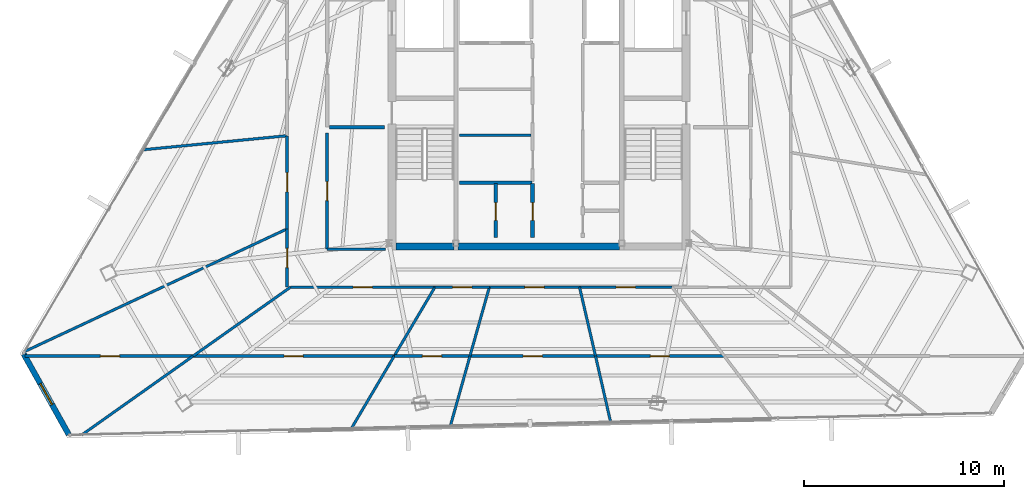
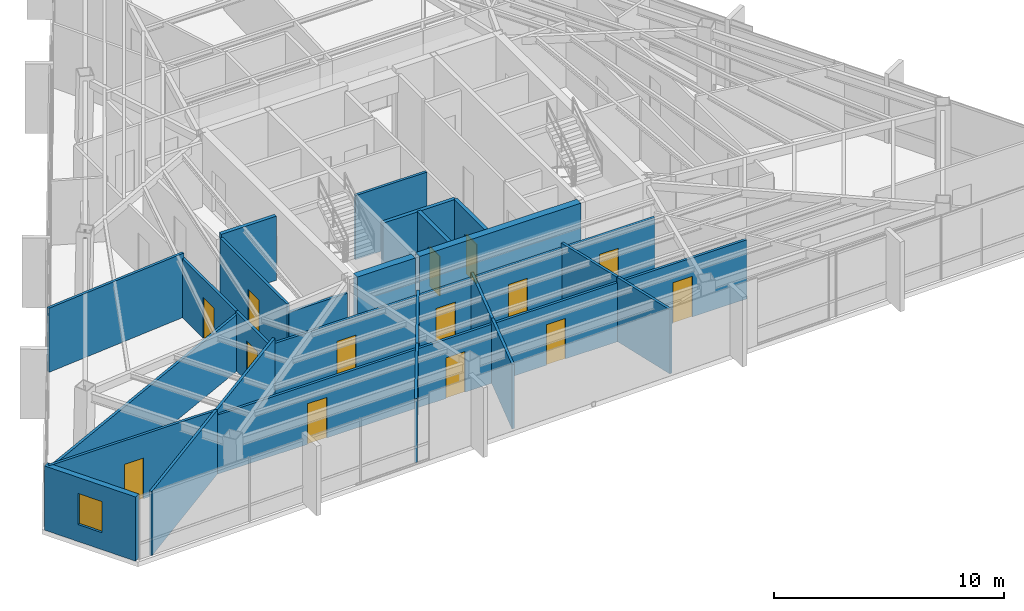
# One storey, part 39 of 44: 31 walls, 14 doors, 1 window, 15 openings.
"""IFC4 building model written with IfcOpenShell, lengths in metres."""

from ifc_helpers import new_model, si_unit, direction, frame, frame_2d, origin, place, context, subcontext, project, spatial, rectangle, extrude, material, layer, layer_set, type_object, element, fill, save


model = new_model("IFC4")

# Units and contexts
model_context = context("Model", 3, precision=1e-05, world=origin(), true_north=direction((0.0, 1.0)))
body_context = subcontext(model_context, "Body", "Model", "MODEL_VIEW")
ifc_project = project(units=[si_unit("LENGTHUNIT", "METRE"), si_unit("AREAUNIT", "SQUARE_METRE"), si_unit("VOLUMEUNIT", "CUBIC_METRE"), si_unit("PLANEANGLEUNIT", "RADIAN"), si_unit("MASSUNIT", "GRAM", prefix="KILO")], contexts=[model_context])

# Site, building, storey
site_placement = place(None, origin())
site = spatial("IfcSite", under=ifc_project, at=site_placement, CompositionType="ELEMENT")
building_placement = place(site_placement, origin())
building = spatial("IfcBuilding", under=site, at=building_placement, Name="Caelisora Broadcast Tower", CompositionType="ELEMENT")
storey_placement = place(building_placement, frame((0.0, 0.0, 259.050048828125)))
storey = spatial("IfcBuildingStorey", under=building, at=storey_placement, Name="L68", CompositionType="ELEMENT", Elevation=259.050048828125)

# Walls
ifc_material_1 = material(Name="Concrete 40 MPa (AS 3600 N40)", Category="concrete")
ifc_layer_1 = layer(ifc_material_1, 0.35009765625, Name="Concrete 40 MPa (AS 3600 N40)")
ifc_layer_set_1 = layer_set([ifc_layer_1], Name="Concrete 40 MPa (AS 3600 N40)")
wall_type_1 = type_object("IfcWallType", Name="CW6", PredefinedType="SHEAR", material=ifc_layer_set_1)
wall_1_placement = place(storey_placement, frame((30.840087890625, 17.22509765625, 0.0), z_axis=(0.0, 0.0, 1.0), x_axis=(1.0, 0.0, 0.0)))
element("IfcWall", 1, at=wall_1_placement, inside=storey, type_object=wall_type_1, Name="L68 core shear wall CW6", PredefinedType="SHEAR", context=body_context, shape_type="SweptSolid", body=[
    extrude(rectangle(XDim=2.89990234375, YDim=0.35009765625, at=frame_2d((1.449951171875, 0.0))), origin(), (0.0, 0.0, 1.0), 3.64990234375),
])
wall_2_placement = place(storey_placement, frame((33.9599609375, 17.22509765625, 0.0), z_axis=(0.0, 0.0, 1.0), x_axis=(1.0, 0.0, 0.0)))
element("IfcWall", 2, at=wall_2_placement, inside=storey, type_object=wall_type_1, Name="L68 core shear wall CW6", PredefinedType="SHEAR", context=body_context, shape_type="SweptSolid", body=[
    extrude(rectangle(XDim=8.080078125, YDim=0.35009765625, at=frame_2d((4.0400390625, 0.0))), origin(), (0.0, 0.0, 1.0), 3.64990234375),
])

# Wall, opening, window
ifc_material_2 = material(Name="Insulated Terracotta Spandrel Wall System", Category="masonry")
ifc_layer_2 = layer(ifc_material_2, 0.280029296875, Name="Insulated Terracotta Spandrel Wall System")
ifc_layer_set_2 = layer_set([ifc_layer_2], Name="Insulated Terracotta Spandrel Wall System")
wall_type_2 = type_object("IfcWallType", Name="EW1", PredefinedType="STANDARD", material=ifc_layer_set_2)
wall_3_placement = place(storey_placement, frame((14.4794921875, 7.826171875, 0.0), z_axis=(0.0, 0.0, 1.0), x_axis=(-0.487974436931, 0.872857920226, 0.0)))
wall_3 = element("IfcWall", 3, at=wall_3_placement, inside=storey, type_object=wall_type_2, Name="L68 exterior envelope wall EW1", PredefinedType="STANDARD", context=body_context, shape_type="SweptSolid", body=[
    extrude(rectangle(XDim=4.61083984375, YDim=0.280029296875, at=frame_2d((2.305419921875, 0.0))), origin(), (0.0, 0.0, 1.0), 3.39990234375),
])
opening_1_placement = place(wall_3_placement, frame((1.7099609375, 0.0, 0.89990234375)))
opening_1 = element("IfcOpeningElement", 4, at=opening_1_placement, cuts=wall_3, Name="Opening W03", PredefinedType="OPENING", context=body_context, shape_type="SweptSolid", body=[
    extrude(rectangle(XDim=1.199951171875, YDim=1.64990234375, at=frame_2d((0.60009765625, 0.824951171875))), frame((0.0, 0.152099609375, 0.0), z_axis=(0.0, -1.0, 0.0), x_axis=(1.0, 0.0, 0.0)), (0.0, 0.0, 1.0), 0.303955078125),
])
ifc_material_3 = material(Name="Double Glazed Corner Vision Window", Category="glass")
window_type = type_object("IfcWindowType", Name="W03", PartitioningType="SINGLE_PANEL", PredefinedType="WINDOW", material=ifc_material_3)
window_placement = place(opening_1_placement, origin())
window = element("IfcWindow", 5, at=window_placement, inside=storey, type_object=window_type, Name="L68 window W03 (L68-WN-CH4)", OverallHeight=1.64990234375, OverallWidth=1.199951171875, PartitioningType="SINGLE_PANEL", PredefinedType="WINDOW", context=body_context, shape_type="SweptSolid", body=[
    extrude(rectangle(XDim=1.199951171875, YDim=1.64990234375, at=frame_2d((0.60009765625, 0.824951171875))), frame((0.0, 0.030029296875, 0.0), z_axis=(0.0, -1.0, 0.0), x_axis=(1.0, 0.0, 0.0)), (0.0, 0.0, 1.0), 0.06005859375),
])
fill(opening_1, window)

# Walls
ifc_material_4 = material(Name="Fire-Rated Gypsum Shaft and Compartment Wall", Category="gypsum")
ifc_layer_3 = layer(ifc_material_4, 0.179931640625, Name="Fire-Rated Gypsum Shaft and Compartment Wall")
ifc_layer_set_3 = layer_set([ifc_layer_3], Name="Fire-Rated Gypsum Shaft and Compartment Wall")
wall_type_3 = type_object("IfcWallType", Name="PW2", PredefinedType="PARTITIONING", material=ifc_layer_set_3)
wall_4_placement = place(storey_placement, frame((27.52001953125, 23.199951171875, 0.0), z_axis=(0.0, 0.0, 1.0), x_axis=(1.0, 0.0, 0.0)))
element("IfcWall", 6, at=wall_4_placement, inside=storey, type_object=wall_type_3, Name="L68 fire compartment wall PW2", PredefinedType="PARTITIONING", context=body_context, shape_type="SweptSolid", body=[
    extrude(rectangle(XDim=2.760009765625, YDim=0.179931640625, at=frame_2d((1.3798828125, 0.0))), origin(), (0.0, 0.0, 1.0), 3.39990234375),
])
wall_5_placement = place(storey_placement, frame((34.02001953125, 20.419921875, 0.0), z_axis=(0.0, 0.0, 1.0), x_axis=(1.0, 0.0, 0.0)))
element("IfcWall", 7, at=wall_5_placement, inside=storey, type_object=wall_type_3, Name="L68 fire compartment wall PW2", PredefinedType="PARTITIONING", context=body_context, shape_type="SweptSolid", body=[
    extrude(rectangle(XDim=3.639892578125, YDim=0.179931640625, at=frame_2d((1.81982421875, 0.0))), origin(), (0.0, 0.0, 1.0), 3.39990234375),
])

# Wall, opening, door
wall_6_placement = place(storey_placement, frame((35.840087890625, 17.679931640625, 0.0), z_axis=(0.0, 0.0, 1.0), x_axis=(0.0, 1.0, 0.0)))
wall_6 = element("IfcWall", 8, at=wall_6_placement, inside=storey, type_object=wall_type_3, Name="L68 fire compartment wall PW2", PredefinedType="PARTITIONING", context=body_context, shape_type="SweptSolid", body=[
    extrude(rectangle(XDim=2.699951171875, YDim=0.179931640625, at=frame_2d((1.35009765625, 0.0))), origin(), (0.0, 0.0, 1.0), 3.39990234375),
])
opening_2_placement = place(wall_6_placement, frame((0.85009765625, 0.0, 0.0)))
opening_2 = element("IfcOpeningElement", 9, at=opening_2_placement, cuts=wall_6, Name="Opening FD03", PredefinedType="OPENING", context=body_context, shape_type="SweptSolid", body=[
    extrude(rectangle(XDim=0.89990234375, YDim=2.10009765625, at=frame_2d((0.449951171875, 1.050048828125))), frame((0.0, 0.10205078125, 0.0), z_axis=(0.0, -1.0, 0.0), x_axis=(1.0, 0.0, 0.0)), (0.0, 0.0, 1.0), 0.203857421875),
])
ifc_material_5 = material(Name="Single-Leaf Steel Riser Fire Access Door", Category="steel")
door_type_1 = type_object("IfcDoorType", Name="FD03", OperationType="NOTDEFINED", PredefinedType="DOOR", material=ifc_material_5)
door_1_placement = place(opening_2_placement, origin())
door_1 = element("IfcDoor", 10, at=door_1_placement, inside=storey, type_object=door_type_1, Name="L68 door FD03 (L68-DR-P15D1)", OperationType="SINGLE_SWING_LEFT", OverallHeight=2.10009765625, OverallWidth=0.89990234375, PredefinedType="DOOR", context=body_context, shape_type="SweptSolid", body=[
    extrude(rectangle(XDim=0.89990234375, YDim=2.10009765625, at=frame_2d((0.449951171875, 1.050048828125))), frame((0.0, 0.02490234375, 0.0), z_axis=(0.0, -1.0, 0.0), x_axis=(1.0, 0.0, 0.0)), (0.0, 0.0, 1.0), 0.050048828125),
])
fill(opening_2, door_1)

wall_7_placement = place(storey_placement, frame((37.679931640625, 17.679931640625, 0.0), z_axis=(0.0, 0.0, 1.0), x_axis=(0.0, 1.0, 0.0)))
wall_7 = element("IfcWall", 11, at=wall_7_placement, inside=storey, type_object=wall_type_3, Name="L68 fire compartment wall PW2", PredefinedType="PARTITIONING", context=body_context, shape_type="SweptSolid", body=[
    extrude(rectangle(XDim=2.699951171875, YDim=0.179931640625, at=frame_2d((1.35009765625, 0.0))), origin(), (0.0, 0.0, 1.0), 3.39990234375),
])
opening_3_placement = place(wall_7_placement, frame((0.85009765625, 0.0, 0.0)))
opening_3 = element("IfcOpeningElement", 12, at=opening_3_placement, cuts=wall_7, Name="Opening FD03", PredefinedType="OPENING", context=body_context, shape_type="SweptSolid", body=[
    extrude(rectangle(XDim=0.89990234375, YDim=2.10009765625, at=frame_2d((0.449951171875, 1.050048828125))), frame((0.0, 0.10205078125, 0.0), z_axis=(0.0, -1.0, 0.0), x_axis=(1.0, 0.0, 0.0)), (0.0, 0.0, 1.0), 0.203857421875),
])
door_2_placement = place(opening_3_placement, origin())
door_2 = element("IfcDoor", 13, at=door_2_placement, inside=storey, type_object=door_type_1, Name="L68 door FD03 (L68-DR-P16D1)", OperationType="SINGLE_SWING_RIGHT", OverallHeight=2.10009765625, OverallWidth=0.89990234375, PredefinedType="DOOR", context=body_context, shape_type="SweptSolid", body=[
    extrude(rectangle(XDim=0.89990234375, YDim=2.10009765625, at=frame_2d((0.449951171875, 1.050048828125))), frame((0.0, 0.02490234375, 0.0), z_axis=(0.0, -1.0, 0.0), x_axis=(1.0, 0.0, 0.0)), (0.0, 0.0, 1.0), 0.050048828125),
])
fill(opening_3, door_2)

# Walls
ifc_material_6 = material(Name="Acoustic Steel-Stud Plasterboard Partition", Category="gypsum")
ifc_layer_4 = layer(ifc_material_6, 0.1298828125, Name="Acoustic Steel-Stud Plasterboard Partition")
ifc_layer_set_4 = layer_set([ifc_layer_4], Name="Acoustic Steel-Stud Plasterboard Partition")
wall_type_4 = type_object("IfcWallType", Name="PW3", PredefinedType="PARTITIONING", material=ifc_layer_set_4)
wall_8_placement = place(storey_placement, frame((34.02001953125, 22.800048828125, 0.0), z_axis=(0.0, 0.0, 1.0), x_axis=(1.0, 0.0, 0.0)))
element("IfcWall", 14, at=wall_8_placement, inside=storey, type_object=wall_type_4, Name="L68 internal partition PW3", PredefinedType="PARTITIONING", context=body_context, shape_type="SweptSolid", body=[
    extrude(rectangle(XDim=3.580078125, YDim=0.1298828125, at=frame_2d((1.7900390625, 0.0))), origin(), (0.0, 0.0, 1.0), 3.39990234375),
])
wall_9_placement = place(storey_placement, frame((12.265869140625, 11.972900390625, 0.0), z_axis=(0.0, 0.0, 1.0), x_axis=(0.905969549947, 0.423342856995, 0.0)))
element("IfcWall", 15, at=wall_9_placement, inside=storey, type_object=wall_type_4, Name="L68 internal partition PW3", PredefinedType="PARTITIONING", context=body_context, shape_type="SweptSolid", body=[
    extrude(rectangle(XDim=14.491943359375, YDim=0.1298828125, at=frame_2d((7.24609375, 0.0))), origin(), (0.0, 0.0, 1.0), 2.98486328125),
])

# Wall, opening, door
wall_10_placement = place(storey_placement, frame((20.705078125, 11.75, 0.0), z_axis=(0.0, 0.0, 1.0), x_axis=(1.0, 0.0, 0.0)))
wall_10 = element("IfcWall", 16, at=wall_10_placement, inside=storey, type_object=wall_type_4, Name="L68 internal partition PW3", PredefinedType="PARTITIONING", context=body_context, shape_type="SweptSolid", body=[
    extrude(rectangle(XDim=10.0498046875, YDim=0.1298828125, at=frame_2d((5.02490234375, 0.0))), origin(), (0.0, 0.0, 1.0), 3.128662109375),
])
opening_4_placement = place(wall_10_placement, frame((4.544921875, 0.0, 0.0)))
opening_4 = element("IfcOpeningElement", 17, at=opening_4_placement, cuts=wall_10, Name="Opening D01", PredefinedType="OPENING", context=body_context, shape_type="SweptSolid", body=[
    extrude(rectangle(XDim=0.9599609375, YDim=2.14990234375, at=frame_2d((0.47998046875, 1.074951171875))), frame((0.0, 0.076904296875, 0.0), z_axis=(0.0, -1.0, 0.0), x_axis=(1.0, 0.0, 0.0)), (0.0, 0.0, 1.0), 0.15380859375),
])
ifc_material_7 = material(Name="Solid-Core Timber Acoustic Office Door", Category="wood")
door_type_2 = type_object("IfcDoorType", Name="D01", OperationType="NOTDEFINED", PredefinedType="DOOR", material=ifc_material_7)
door_3_placement = place(opening_4_placement, origin())
door_3 = element("IfcDoor", 18, at=door_3_placement, inside=storey, type_object=door_type_2, Name="L68 door D01 (L68-DR-P34D1)", OperationType="SINGLE_SWING_RIGHT", OverallHeight=2.14990234375, OverallWidth=0.9599609375, PredefinedType="DOOR", context=body_context, shape_type="SweptSolid", body=[
    extrude(rectangle(XDim=0.9599609375, YDim=2.14990234375, at=frame_2d((0.47998046875, 1.074951171875))), frame((0.0, 0.02490234375, 0.0), z_axis=(0.0, -1.0, 0.0), x_axis=(1.0, 0.0, 0.0)), (0.0, 0.0, 1.0), 0.050048828125),
])
fill(opening_4, door_3)

wall_11_placement = place(storey_placement, frame((12.2802734375, 11.75, 0.0), z_axis=(0.0, 0.0, 1.0), x_axis=(1.0, 0.0, 0.0)))
wall_11 = element("IfcWall", 19, at=wall_11_placement, inside=storey, type_object=wall_type_4, Name="L68 internal partition PW3", PredefinedType="PARTITIONING", context=body_context, shape_type="SweptSolid", body=[
    extrude(rectangle(XDim=8.414794921875, YDim=0.1298828125, at=frame_2d((4.20751953125, 0.0))), origin(), (0.0, 0.0, 1.0), 3.39990234375),
])
opening_5_placement = place(wall_11_placement, frame((3.782958984375, 0.0, 0.0)))
opening_5 = element("IfcOpeningElement", 20, at=opening_5_placement, cuts=wall_11, Name="Opening D01", PredefinedType="OPENING", context=body_context, shape_type="SweptSolid", body=[
    extrude(rectangle(XDim=0.9599609375, YDim=2.14990234375, at=frame_2d((0.47998046875, 1.074951171875))), frame((0.0, 0.076904296875, 0.0), z_axis=(0.0, -1.0, 0.0), x_axis=(1.0, 0.0, 0.0)), (0.0, 0.0, 1.0), 0.15380859375),
])
door_4_placement = place(opening_5_placement, origin())
door_4 = element("IfcDoor", 21, at=door_4_placement, inside=storey, type_object=door_type_2, Name="L68 door D01 (L68-DR-P36D1)", OperationType="SINGLE_SWING_RIGHT", OverallHeight=2.14990234375, OverallWidth=0.9599609375, PredefinedType="DOOR", context=body_context, shape_type="SweptSolid", body=[
    extrude(rectangle(XDim=0.9599609375, YDim=2.14990234375, at=frame_2d((0.47998046875, 1.074951171875))), frame((0.0, 0.02490234375, 0.0), z_axis=(0.0, -1.0, 0.0), x_axis=(1.0, 0.0, 0.0)), (0.0, 0.0, 1.0), 0.050048828125),
])
fill(opening_5, door_4)

# Wall
wall_12_placement = place(storey_placement, frame((18.229248046875, 22.071533203125, 0.0), z_axis=(0.0, 0.0, 1.0), x_axis=(0.995282862986, 0.097015579401, 0.0)))
element("IfcWall", 22, at=wall_12_placement, inside=storey, type_object=wall_type_4, Name="L68 internal partition PW3", PredefinedType="PARTITIONING", context=body_context, shape_type="SweptSolid", body=[
    extrude(rectangle(XDim=7.19970703125, YDim=0.1298828125, at=frame_2d((3.599853515625, 0.0))), origin(), (0.0, 0.0, 1.0), 3.39990234375),
])

# Wall, opening, door
wall_13_placement = place(storey_placement, frame((25.5849609375, 15.199951171875, 0.0), z_axis=(0.0, 0.0, 1.0), x_axis=(1.0, 0.0, 0.0)))
wall_13 = element("IfcWall", 23, at=wall_13_placement, inside=storey, type_object=wall_type_4, Name="L68 internal partition PW3", PredefinedType="PARTITIONING", context=body_context, shape_type="SweptSolid", body=[
    extrude(rectangle(XDim=7.2099609375, YDim=0.1298828125, at=frame_2d((3.60498046875, 0.0))), origin(), (0.0, 0.0, 1.0), 3.128662109375),
])
opening_6_placement = place(wall_13_placement, frame((3.125, 0.0, 0.0)))
opening_6 = element("IfcOpeningElement", 24, at=opening_6_placement, cuts=wall_13, Name="Opening D01", PredefinedType="OPENING", context=body_context, shape_type="SweptSolid", body=[
    extrude(rectangle(XDim=0.9599609375, YDim=2.14990234375, at=frame_2d((0.47998046875, 1.074951171875))), frame((0.0, 0.076904296875, 0.0), z_axis=(0.0, -1.0, 0.0), x_axis=(1.0, 0.0, 0.0)), (0.0, 0.0, 1.0), 0.15380859375),
])
door_5_placement = place(opening_6_placement, origin())
door_5 = element("IfcDoor", 25, at=door_5_placement, inside=storey, type_object=door_type_2, Name="L68 door D01 (L68-DR-P40D1)", OperationType="SINGLE_SWING_LEFT", OverallHeight=2.14990234375, OverallWidth=0.9599609375, PredefinedType="DOOR", context=body_context, shape_type="SweptSolid", body=[
    extrude(rectangle(XDim=0.9599609375, YDim=2.14990234375, at=frame_2d((0.47998046875, 1.074951171875))), frame((0.0, 0.02490234375, 0.0), z_axis=(0.0, -1.0, 0.0), x_axis=(1.0, 0.0, 0.0)), (0.0, 0.0, 1.0), 0.050048828125),
])
fill(opening_6, door_5)

# Wall
wall_14_placement = place(storey_placement, frame((15.141845703125, 7.810546875, 0.0), z_axis=(0.0, 0.0, 1.0), x_axis=(0.815865163884, 0.578242193515, 0.0)))
element("IfcWall", 26, at=wall_14_placement, inside=storey, type_object=wall_type_4, Name="L68 internal partition PW3", PredefinedType="PARTITIONING", context=body_context, shape_type="SweptSolid", body=[
    extrude(rectangle(XDim=6.807861328125, YDim=0.1298828125, at=frame_2d((3.40380859375, 0.0))), origin(), (0.0, 0.0, 1.0), 3.39990234375),
])

# Wall, opening, door
wall_15_placement = place(storey_placement, frame((40.8349609375, 11.75, 0.0), z_axis=(0.0, 0.0, 1.0), x_axis=(1.0, 0.0, 0.0)))
wall_15 = element("IfcWall", 27, at=wall_15_placement, inside=storey, type_object=wall_type_4, Name="L68 internal partition PW3", PredefinedType="PARTITIONING", context=body_context, shape_type="SweptSolid", body=[
    extrude(rectangle(XDim=6.429931640625, YDim=0.1298828125, at=frame_2d((3.21484375, 0.0))), origin(), (0.0, 0.0, 1.0), 3.128662109375),
])
opening_7_placement = place(wall_15_placement, frame((2.735107421875, 0.0, 0.0)))
opening_7 = element("IfcOpeningElement", 28, at=opening_7_placement, cuts=wall_15, Name="Opening D01", PredefinedType="OPENING", context=body_context, shape_type="SweptSolid", body=[
    extrude(rectangle(XDim=0.9599609375, YDim=2.14990234375, at=frame_2d((0.47998046875, 1.074951171875))), frame((0.0, 0.076904296875, 0.0), z_axis=(0.0, -1.0, 0.0), x_axis=(1.0, 0.0, 0.0)), (0.0, 0.0, 1.0), 0.15380859375),
])
door_6_placement = place(opening_7_placement, origin())
door_6 = element("IfcDoor", 29, at=door_6_placement, inside=storey, type_object=door_type_2, Name="L68 door D01 (L68-DR-P47D1)", OperationType="SINGLE_SWING_LEFT", OverallHeight=2.14990234375, OverallWidth=0.9599609375, PredefinedType="DOOR", context=body_context, shape_type="SweptSolid", body=[
    extrude(rectangle(XDim=0.9599609375, YDim=2.14990234375, at=frame_2d((0.47998046875, 1.074951171875))), frame((0.0, 0.02490234375, 0.0), z_axis=(0.0, -1.0, 0.0), x_axis=(1.0, 0.0, 0.0)), (0.0, 0.0, 1.0), 0.050048828125),
])
fill(opening_7, door_6)

wall_16_placement = place(storey_placement, frame((34.554931640625, 11.75, 0.0), z_axis=(0.0, 0.0, 1.0), x_axis=(1.0, 0.0, 0.0)))
wall_16 = element("IfcWall", 30, at=wall_16_placement, inside=storey, type_object=wall_type_4, Name="L68 internal partition PW3", PredefinedType="PARTITIONING", context=body_context, shape_type="SweptSolid", body=[
    extrude(rectangle(XDim=6.27001953125, YDim=0.1298828125, at=frame_2d((3.135009765625, 0.0))), origin(), (0.0, 0.0, 1.0), 3.128662109375),
])
opening_8_placement = place(wall_16_placement, frame((2.655029296875, 0.0, 0.0)))
opening_8 = element("IfcOpeningElement", 31, at=opening_8_placement, cuts=wall_16, Name="Opening D01", PredefinedType="OPENING", context=body_context, shape_type="SweptSolid", body=[
    extrude(rectangle(XDim=0.9599609375, YDim=2.14990234375, at=frame_2d((0.47998046875, 1.074951171875))), frame((0.0, 0.076904296875, 0.0), z_axis=(0.0, -1.0, 0.0), x_axis=(1.0, 0.0, 0.0)), (0.0, 0.0, 1.0), 0.15380859375),
])
door_7_placement = place(opening_8_placement, origin())
door_7 = element("IfcDoor", 32, at=door_7_placement, inside=storey, type_object=door_type_2, Name="L68 door D01 (L68-DR-P49D1)", OperationType="SINGLE_SWING_LEFT", OverallHeight=2.14990234375, OverallWidth=0.9599609375, PredefinedType="DOOR", context=body_context, shape_type="SweptSolid", body=[
    extrude(rectangle(XDim=0.9599609375, YDim=2.14990234375, at=frame_2d((0.47998046875, 1.074951171875))), frame((0.0, 0.02490234375, 0.0), z_axis=(0.0, -1.0, 0.0), x_axis=(1.0, 0.0, 0.0)), (0.0, 0.0, 1.0), 0.050048828125),
])
fill(opening_8, door_7)

# Wall
wall_17_placement = place(storey_placement, frame((20.7041015625, 11.7529296875, 0.0), z_axis=(0.0, 0.0, 1.0), x_axis=(0.816560537788, 0.577259809901, 0.0)))
element("IfcWall", 33, at=wall_17_placement, inside=storey, type_object=wall_type_4, Name="L68 internal partition PW3", PredefinedType="PARTITIONING", context=body_context, shape_type="SweptSolid", body=[
    extrude(rectangle(XDim=5.96630859375, YDim=0.1298828125, at=frame_2d((2.983154296875, 0.0))), origin(), (0.0, 0.0, 1.0), 3.39990234375),
])

# Wall, opening, door
wall_18_placement = place(storey_placement, frame((27.39990234375, 17.10498046875, 0.0), z_axis=(0.0, 0.0, 1.0), x_axis=(0.0, 1.0, 0.0)))
wall_18 = element("IfcWall", 34, at=wall_18_placement, inside=storey, type_object=wall_type_4, Name="L68 internal partition PW3", PredefinedType="PARTITIONING", context=body_context, shape_type="SweptSolid", body=[
    extrude(rectangle(XDim=5.7900390625, YDim=0.1298828125, at=frame_2d((2.89501953125, 0.0))), origin(), (0.0, 0.0, 1.0), 3.39990234375),
])
opening_9_placement = place(wall_18_placement, frame((2.4150390625, 0.0, 0.0)))
opening_9 = element("IfcOpeningElement", 35, at=opening_9_placement, cuts=wall_18, Name="Opening D01", PredefinedType="OPENING", context=body_context, shape_type="SweptSolid", body=[
    extrude(rectangle(XDim=0.9599609375, YDim=2.14990234375, at=frame_2d((0.47998046875, 1.074951171875))), frame((0.0, 0.076904296875, 0.0), z_axis=(0.0, -1.0, 0.0), x_axis=(1.0, 0.0, 0.0)), (0.0, 0.0, 1.0), 0.15380859375),
])
door_8_placement = place(opening_9_placement, origin())
door_8 = element("IfcDoor", 36, at=door_8_placement, inside=storey, type_object=door_type_2, Name="L68 door D01 (L68-DR-P52D1)", OperationType="SINGLE_SWING_LEFT", OverallHeight=2.14990234375, OverallWidth=0.9599609375, PredefinedType="DOOR", context=body_context, shape_type="SweptSolid", body=[
    extrude(rectangle(XDim=0.9599609375, YDim=2.14990234375, at=frame_2d((0.47998046875, 1.074951171875))), frame((0.0, 0.02490234375, 0.0), z_axis=(0.0, -1.0, 0.0), x_axis=(1.0, 0.0, 0.0)), (0.0, 0.0, 1.0), 0.050048828125),
])
fill(opening_9, door_8)

wall_19_placement = place(storey_placement, frame((25.39990234375, 18.114990234375, 0.0), z_axis=(0.0, 0.0, 1.0), x_axis=(0.0, 1.0, 0.0)))
wall_19 = element("IfcWall", 37, at=wall_19_placement, inside=storey, type_object=wall_type_4, Name="L68 internal partition PW3", PredefinedType="PARTITIONING", context=body_context, shape_type="SweptSolid", body=[
    extrude(rectangle(XDim=4.64990234375, YDim=0.1298828125, at=frame_2d((2.324951171875, 0.0))), origin(), (0.0, 0.0, 1.0), 3.128662109375),
])
opening_10_placement = place(wall_19_placement, frame((1.844970703125, 0.0, 0.0)))
opening_10 = element("IfcOpeningElement", 38, at=opening_10_placement, cuts=wall_19, Name="Opening D01", PredefinedType="OPENING", context=body_context, shape_type="SweptSolid", body=[
    extrude(rectangle(XDim=0.9599609375, YDim=2.14990234375, at=frame_2d((0.47998046875, 1.074951171875))), frame((0.0, 0.076904296875, 0.0), z_axis=(0.0, -1.0, 0.0), x_axis=(1.0, 0.0, 0.0)), (0.0, 0.0, 1.0), 0.15380859375),
])
door_9_placement = place(opening_10_placement, origin())
door_9 = element("IfcDoor", 39, at=door_9_placement, inside=storey, type_object=door_type_2, Name="L68 door D01 (L68-DR-P55D1)", OperationType="SINGLE_SWING_RIGHT", OverallHeight=2.14990234375, OverallWidth=0.9599609375, PredefinedType="DOOR", context=body_context, shape_type="SweptSolid", body=[
    extrude(rectangle(XDim=0.9599609375, YDim=2.14990234375, at=frame_2d((0.47998046875, 1.074951171875))), frame((0.0, 0.02490234375, 0.0), z_axis=(0.0, -1.0, 0.0), x_axis=(1.0, 0.0, 0.0)), (0.0, 0.0, 1.0), 0.050048828125),
])
fill(opening_10, door_9)

wall_20_placement = place(storey_placement, frame((40.034912109375, 15.199951171875, 0.0), z_axis=(0.0, 0.0, 1.0), x_axis=(1.0, 0.0, 0.0)))
wall_20 = element("IfcWall", 40, at=wall_20_placement, inside=storey, type_object=wall_type_4, Name="L68 internal partition PW3", PredefinedType="PARTITIONING", context=body_context, shape_type="SweptSolid", body=[
    extrude(rectangle(XDim=4.6201171875, YDim=0.1298828125, at=frame_2d((2.31005859375, 0.0))), origin(), (0.0, 0.0, 1.0), 3.128662109375),
])
opening_11_placement = place(wall_20_placement, frame((1.830078125, 0.0, 0.0)))
opening_11 = element("IfcOpeningElement", 41, at=opening_11_placement, cuts=wall_20, Name="Opening D01", PredefinedType="OPENING", context=body_context, shape_type="SweptSolid", body=[
    extrude(rectangle(XDim=0.9599609375, YDim=2.14990234375, at=frame_2d((0.47998046875, 1.074951171875))), frame((0.0, 0.076904296875, 0.0), z_axis=(0.0, -1.0, 0.0), x_axis=(1.0, 0.0, 0.0)), (0.0, 0.0, 1.0), 0.15380859375),
])
door_10_placement = place(opening_11_placement, origin())
door_10 = element("IfcDoor", 42, at=door_10_placement, inside=storey, type_object=door_type_2, Name="L68 door D01 (L68-DR-P56D1)", OperationType="SINGLE_SWING_LEFT", OverallHeight=2.14990234375, OverallWidth=0.9599609375, PredefinedType="DOOR", context=body_context, shape_type="SweptSolid", body=[
    extrude(rectangle(XDim=0.9599609375, YDim=2.14990234375, at=frame_2d((0.47998046875, 1.074951171875))), frame((0.0, 0.02490234375, 0.0), z_axis=(0.0, -1.0, 0.0), x_axis=(1.0, 0.0, 0.0)), (0.0, 0.0, 1.0), 0.050048828125),
])
fill(opening_11, door_10)

wall_21_placement = place(storey_placement, frame((35.52490234375, 15.199951171875, 0.0), z_axis=(0.0, 0.0, 1.0), x_axis=(1.0, 0.0, 0.0)))
wall_21 = element("IfcWall", 43, at=wall_21_placement, inside=storey, type_object=wall_type_4, Name="L68 internal partition PW3", PredefinedType="PARTITIONING", context=body_context, shape_type="SweptSolid", body=[
    extrude(rectangle(XDim=4.5, YDim=0.1298828125, at=frame_2d((2.25, 0.0))), origin(), (0.0, 0.0, 1.0), 3.128662109375),
])
opening_12_placement = place(wall_21_placement, frame((1.77001953125, 0.0, 0.0)))
opening_12 = element("IfcOpeningElement", 44, at=opening_12_placement, cuts=wall_21, Name="Opening D01", PredefinedType="OPENING", context=body_context, shape_type="SweptSolid", body=[
    extrude(rectangle(XDim=0.9599609375, YDim=2.14990234375, at=frame_2d((0.47998046875, 1.074951171875))), frame((0.0, 0.076904296875, 0.0), z_axis=(0.0, -1.0, 0.0), x_axis=(1.0, 0.0, 0.0)), (0.0, 0.0, 1.0), 0.15380859375),
])
door_11_placement = place(opening_12_placement, origin())
door_11 = element("IfcDoor", 45, at=door_11_placement, inside=storey, type_object=door_type_2, Name="L68 door D01 (L68-DR-P59D1)", OperationType="SINGLE_SWING_RIGHT", OverallHeight=2.14990234375, OverallWidth=0.9599609375, PredefinedType="DOOR", context=body_context, shape_type="SweptSolid", body=[
    extrude(rectangle(XDim=0.9599609375, YDim=2.14990234375, at=frame_2d((0.47998046875, 1.074951171875))), frame((0.0, 0.02490234375, 0.0), z_axis=(0.0, -1.0, 0.0), x_axis=(1.0, 0.0, 0.0)), (0.0, 0.0, 1.0), 0.050048828125),
])
fill(opening_12, door_11)

# Walls
wall_22_placement = place(storey_placement, frame((28.619384765625, 8.13037109375, 0.0), z_axis=(0.0, 0.0, 1.0), x_axis=(0.508929036643, 0.860808477922, 0.0)))
element("IfcWall", 46, at=wall_22_placement, inside=storey, type_object=wall_type_4, Name="L68 internal partition PW3", PredefinedType="PARTITIONING", context=body_context, shape_type="SweptSolid", body=[
    extrude(rectangle(XDim=4.200439453125, YDim=0.1298828125, at=frame_2d((2.10009765625, 0.0))), origin(), (0.0, 0.0, 1.0), 3.39990234375),
])
wall_23_placement = place(storey_placement, frame((30.762939453125, 11.75390625, 0.0), z_axis=(0.0, 0.0, 1.0), x_axis=(0.508764284134, 0.860905861979, 0.0)))
element("IfcWall", 47, at=wall_23_placement, inside=storey, type_object=wall_type_4, Name="L68 internal partition PW3", PredefinedType="PARTITIONING", context=body_context, shape_type="SweptSolid", body=[
    extrude(rectangle(XDim=3.998291015625, YDim=0.1298828125, at=frame_2d((1.9990234375, 0.0))), origin(), (0.0, 0.0, 1.0), 3.39990234375),
])

# Wall, opening, door
wall_24_placement = place(storey_placement, frame((30.764892578125, 11.75, 0.0), z_axis=(0.0, 0.0, 1.0), x_axis=(1.0, 0.0, 0.0)))
wall_24 = element("IfcWall", 48, at=wall_24_placement, inside=storey, type_object=wall_type_4, Name="L68 internal partition PW3", PredefinedType="PARTITIONING", context=body_context, shape_type="SweptSolid", body=[
    extrude(rectangle(XDim=3.780029296875, YDim=0.1298828125, at=frame_2d((1.89013671875, 0.0))), origin(), (0.0, 0.0, 1.0), 3.128662109375),
])
opening_13_placement = place(wall_24_placement, frame((1.409912109375, 0.0, 0.0)))
opening_13 = element("IfcOpeningElement", 49, at=opening_13_placement, cuts=wall_24, Name="Opening D01", PredefinedType="OPENING", context=body_context, shape_type="SweptSolid", body=[
    extrude(rectangle(XDim=0.9599609375, YDim=2.14990234375, at=frame_2d((0.47998046875, 1.074951171875))), frame((0.0, 0.076904296875, 0.0), z_axis=(0.0, -1.0, 0.0), x_axis=(1.0, 0.0, 0.0)), (0.0, 0.0, 1.0), 0.15380859375),
])
door_12_placement = place(opening_13_placement, origin())
door_12 = element("IfcDoor", 50, at=door_12_placement, inside=storey, type_object=door_type_2, Name="L68 door D01 (L68-DR-P66D1)", OperationType="SINGLE_SWING_RIGHT", OverallHeight=2.14990234375, OverallWidth=0.9599609375, PredefinedType="DOOR", context=body_context, shape_type="SweptSolid", body=[
    extrude(rectangle(XDim=0.9599609375, YDim=2.14990234375, at=frame_2d((0.47998046875, 1.074951171875))), frame((0.0, 0.02490234375, 0.0), z_axis=(0.0, -1.0, 0.0), x_axis=(1.0, 0.0, 0.0)), (0.0, 0.0, 1.0), 0.050048828125),
])
fill(opening_13, door_12)

# Walls
wall_25_placement = place(storey_placement, frame((33.5673828125, 8.247802734375, 0.0), z_axis=(0.0, 0.0, 1.0), x_axis=(0.270253111102, 0.962789310254, 0.0)))
element("IfcWall", 51, at=wall_25_placement, inside=storey, type_object=wall_type_4, Name="L68 internal partition PW3", PredefinedType="PARTITIONING", context=body_context, shape_type="SweptSolid", body=[
    extrude(rectangle(XDim=3.632568359375, YDim=0.1298828125, at=frame_2d((1.81640625, 0.0))), origin(), (0.0, 0.0, 1.0), 3.39990234375),
])
wall_26_placement = place(storey_placement, frame((34.551025390625, 11.7548828125, 0.0), z_axis=(0.0, 0.0, 1.0), x_axis=(0.270866253108, 0.962616991813, 0.0)))
element("IfcWall", 52, at=wall_26_placement, inside=storey, type_object=wall_type_4, Name="L68 internal partition PW3", PredefinedType="PARTITIONING", context=body_context, shape_type="SweptSolid", body=[
    extrude(rectangle(XDim=3.57373046875, YDim=0.1298828125, at=frame_2d((1.786865234375, 0.0))), origin(), (0.0, 0.0, 1.0), 3.39990234375),
])
wall_27_placement = place(storey_placement, frame((40.031005859375, 15.195068359375, 0.0), z_axis=(0.0, 0.0, 1.0), x_axis=(0.225990312699, -0.97412954917, 0.0)))
element("IfcWall", 53, at=wall_27_placement, inside=storey, type_object=wall_type_4, Name="L68 internal partition PW3", PredefinedType="PARTITIONING", context=body_context, shape_type="SweptSolid", body=[
    extrude(rectangle(XDim=3.531494140625, YDim=0.1298828125, at=frame_2d((1.765625, 0.0))), origin(), (0.0, 0.0, 1.0), 3.39990234375),
])
wall_28_placement = place(storey_placement, frame((40.8310546875, 11.7451171875, 0.0), z_axis=(0.0, 0.0, 1.0), x_axis=(0.222961591658, -0.974827230152, 0.0)))
element("IfcWall", 54, at=wall_28_placement, inside=storey, type_object=wall_type_4, Name="L68 internal partition PW3", PredefinedType="PARTITIONING", context=body_context, shape_type="SweptSolid", body=[
    extrude(rectangle(XDim=3.392333984375, YDim=0.1298828125, at=frame_2d((1.6962890625, 0.0))), origin(), (0.0, 0.0, 1.0), 3.39990234375),
])
wall_29_placement = place(storey_placement, frame((30.324951171875, 17.10009765625, 0.0), z_axis=(0.0, 0.0, 1.0), x_axis=(-1.0, 0.0, 0.0)))
element("IfcWall", 55, at=wall_29_placement, inside=storey, type_object=wall_type_4, Name="L68 internal partition PW3", PredefinedType="PARTITIONING", context=body_context, shape_type="SweptSolid", body=[
    extrude(rectangle(XDim=2.919921875, YDim=0.1298828125, at=frame_2d((1.4599609375, 0.0))), origin(), (0.0, 0.0, 1.0), 2.98486328125),
])

# Wall, opening, door
wall_30_placement = place(storey_placement, frame((25.39990234375, 18.10498046875, 0.0), z_axis=(0.0, 0.0, 1.0), x_axis=(0.0, -1.0, 0.0)))
wall_30 = element("IfcWall", 56, at=wall_30_placement, inside=storey, type_object=wall_type_4, Name="L68 internal partition PW3", PredefinedType="PARTITIONING", context=body_context, shape_type="SweptSolid", body=[
    extrude(rectangle(XDim=2.89990234375, YDim=0.1298828125, at=frame_2d((1.449951171875, 0.0))), origin(), (0.0, 0.0, 1.0), 3.128662109375),
])
opening_14_placement = place(wall_30_placement, frame((0.969970703125, 0.0, 0.0)))
opening_14 = element("IfcOpeningElement", 57, at=opening_14_placement, cuts=wall_30, Name="Opening D01", PredefinedType="OPENING", context=body_context, shape_type="SweptSolid", body=[
    extrude(rectangle(XDim=0.9599609375, YDim=2.14990234375, at=frame_2d((0.47998046875, 1.074951171875))), frame((0.0, 0.076904296875, 0.0), z_axis=(0.0, -1.0, 0.0), x_axis=(1.0, 0.0, 0.0)), (0.0, 0.0, 1.0), 0.15380859375),
])
door_13_placement = place(opening_14_placement, origin())
door_13 = element("IfcDoor", 58, at=door_13_placement, inside=storey, type_object=door_type_2, Name="L68 door D01 (L68-DR-P75D1)", OperationType="SINGLE_SWING_LEFT", OverallHeight=2.14990234375, OverallWidth=0.9599609375, PredefinedType="DOOR", context=body_context, shape_type="SweptSolid", body=[
    extrude(rectangle(XDim=0.9599609375, YDim=2.14990234375, at=frame_2d((0.47998046875, 1.074951171875))), frame((0.0, 0.02490234375, 0.0), z_axis=(0.0, -1.0, 0.0), x_axis=(1.0, 0.0, 0.0)), (0.0, 0.0, 1.0), 0.050048828125),
])
fill(opening_14, door_13)

wall_31_placement = place(storey_placement, frame((32.804931640625, 15.199951171875, 0.0), z_axis=(0.0, 0.0, 1.0), x_axis=(1.0, 0.0, 0.0)))
wall_31 = element("IfcWall", 59, at=wall_31_placement, inside=storey, type_object=wall_type_4, Name="L68 internal partition PW3", PredefinedType="PARTITIONING", context=body_context, shape_type="SweptSolid", body=[
    extrude(rectangle(XDim=2.7099609375, YDim=0.1298828125, at=frame_2d((1.35498046875, 0.0))), origin(), (0.0, 0.0, 1.0), 3.128662109375),
])
opening_15_placement = place(wall_31_placement, frame((0.875, 0.0, 0.0)))
opening_15 = element("IfcOpeningElement", 60, at=opening_15_placement, cuts=wall_31, Name="Opening D01", PredefinedType="OPENING", context=body_context, shape_type="SweptSolid", body=[
    extrude(rectangle(XDim=0.9599609375, YDim=2.14990234375, at=frame_2d((0.47998046875, 1.074951171875))), frame((0.0, 0.076904296875, 0.0), z_axis=(0.0, -1.0, 0.0), x_axis=(1.0, 0.0, 0.0)), (0.0, 0.0, 1.0), 0.15380859375),
])
door_14_placement = place(opening_15_placement, origin())
door_14 = element("IfcDoor", 61, at=door_14_placement, inside=storey, type_object=door_type_2, Name="L68 door D01 (L68-DR-P77D1)", OperationType="SINGLE_SWING_RIGHT", OverallHeight=2.14990234375, OverallWidth=0.9599609375, PredefinedType="DOOR", context=body_context, shape_type="SweptSolid", body=[
    extrude(rectangle(XDim=0.9599609375, YDim=2.14990234375, at=frame_2d((0.47998046875, 1.074951171875))), frame((0.0, 0.02490234375, 0.0), z_axis=(0.0, -1.0, 0.0), x_axis=(1.0, 0.0, 0.0)), (0.0, 0.0, 1.0), 0.050048828125),
])
fill(opening_15, door_14)

save(model, "model.ifc")
